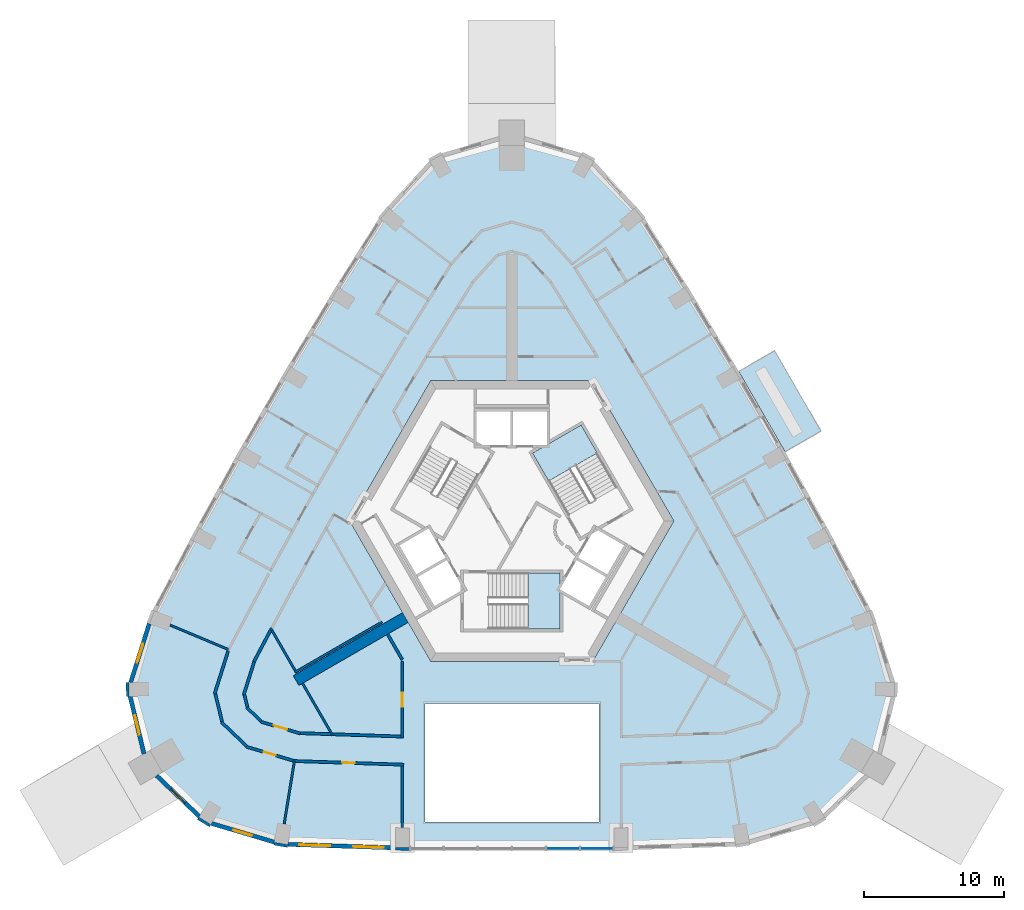
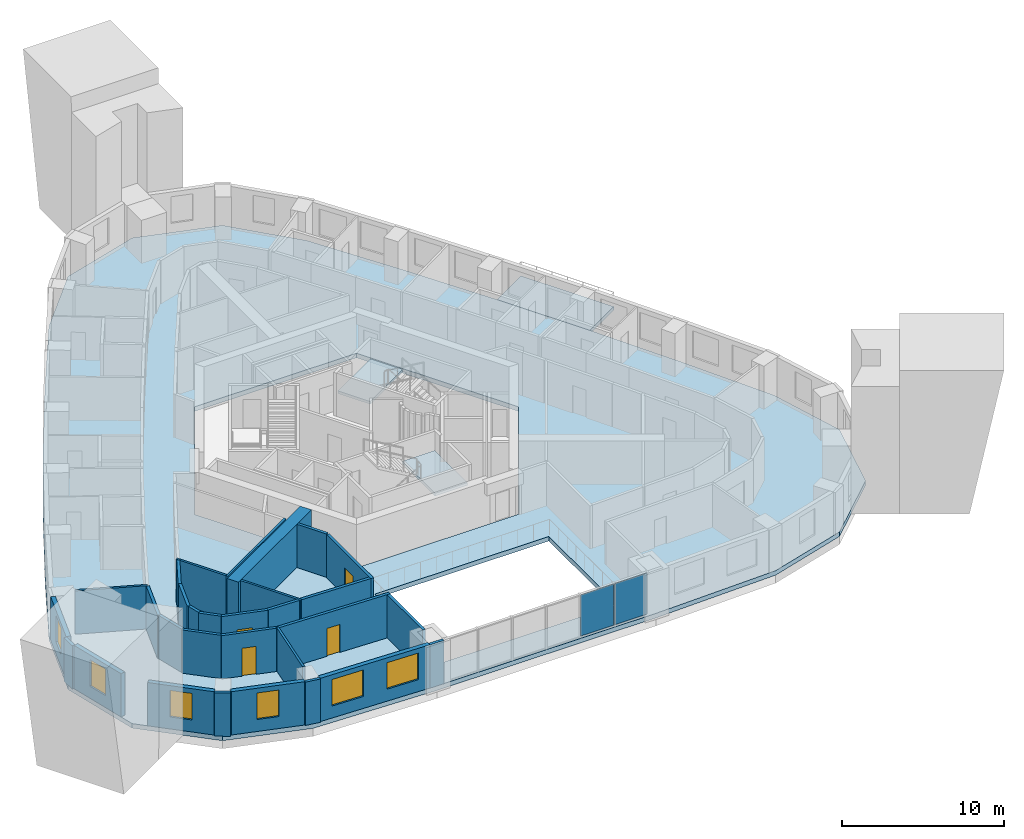
# One storey, part 3 of 13: 30 walls, 6 windows, 4 doors, 4 slabs, 2 plates, 10 openings, 3 elements without a shape of their own.
"""IFC4 building model written with IfcOpenShell, lengths in metres."""

from ifc_helpers import new_model, si_unit, direction, frame, frame_2d, origin, origin_2d, place, context, subcontext, project, spatial, polyline, rectangle, outline, extrude, material, layer, layer_set, type_object, element, fill, aggregate, save


model = new_model("IFC4")

# Units and contexts
model_context = context("Model", 3, precision=1e-05, world=origin(), true_north=direction((0.0, 1.0)))
body_context = subcontext(model_context, "Body", "Model", "MODEL_VIEW")
ifc_project = project(units=[si_unit("LENGTHUNIT", "METRE"), si_unit("AREAUNIT", "SQUARE_METRE"), si_unit("VOLUMEUNIT", "CUBIC_METRE"), si_unit("PLANEANGLEUNIT", "RADIAN"), si_unit("MASSUNIT", "GRAM", prefix="KILO")], contexts=[model_context])

# Site, building, storey
site_placement = place(None, origin())
site = spatial("IfcSite", under=ifc_project, at=site_placement, CompositionType="ELEMENT")
building_placement = place(site_placement, origin())
building = spatial("IfcBuilding", under=site, at=building_placement, Name="Entoto Arch Interchange Tower", CompositionType="ELEMENT")
storey_placement = place(building_placement, frame((0.0, 0.0, 263.0)))
storey = spatial("IfcBuildingStorey", under=building, at=storey_placement, Name="L60", CompositionType="ELEMENT", Elevation=263.0)

# Slab
ifc_material_1 = material(Name="Board-marked precast concrete C50/60", Category="concrete")
ifc_layer_1 = layer(ifc_material_1, 0.25)
ifc_layer_set_1 = layer_set([ifc_layer_1], Name="Board-marked precast concrete C50/60")
slab_type_1 = type_object("IfcSlabType", Name="BALCONY DECK PRECAST 250", PredefinedType="FLOOR", material=ifc_layer_set_1)
slab_1_placement = place(storey_placement, frame((0.0, 0.0, -0.25)))
element("IfcSlab", 1, at=slab_1_placement, inside=storey, type_object=slab_type_1, Name="Planted balcony NE-03 L60", PredefinedType="FLOOR", context=body_context, shape_type="SweptSolid", body=[
    extrude(outline(polyline([(19.47998046875, 7.428955078125), (16.174072265625, 13.155029296875), (18.72900390625, 14.6298828125), (22.034912109375, 8.904052734375), (19.47998046875, 7.428955078125)])), origin(), (0.0, 0.0, 1.0), 0.25),
])

# Stair, slab
ifc_material_2 = material(Name="Concrete C40/50", Category="concrete")
stair_type = type_object("IfcStairType", Name="EXIT STAIR RC 1800", PredefinedType="HALF_TURN_STAIR", material=ifc_material_2)
stair_1_placement = place(storey_placement, origin())
stair_1 = element("IfcStair", 2, at=stair_1_placement, inside=storey, type_object=stair_type, Name="L60 Exit stair S", PredefinedType="HALF_TURN_STAIR")
ifc_layer_2 = layer(ifc_material_2, 0.199951171875)
ifc_layer_set_2 = layer_set([ifc_layer_2], Name="Concrete C40/50")
slab_type_2 = type_object("IfcSlabType", Name="EXIT STAIR LANDING RC 200", PredefinedType="LANDING", material=ifc_layer_set_2)
slab_2_placement = place(storey_placement, frame((0.0, 0.0, 1.60009765625)))
slab_2 = element("IfcSlab", 3, at=slab_2_placement, type_object=slab_type_2, Name="ST-S landing 1", PredefinedType="LANDING", context=body_context, shape_type="SweptSolid", body=[
    extrude(outline(polyline([(1.14990234375, -5.199951171875), (3.449951171875, -5.199951171875), (3.449951171875, -1.199951171875), (1.14990234375, -1.199951171875), (1.14990234375, -5.199951171875)])), origin(), (0.0, 0.0, 1.0), 0.199951171875),
])
aggregate(stair_1, [slab_2])

stair_2_placement = place(storey_placement, origin())
stair_2 = element("IfcStair", 4, at=stair_2_placement, inside=storey, type_object=stair_type, Name="L60 Exit stair NE", PredefinedType="HALF_TURN_STAIR")
slab_3_placement = place(storey_placement, frame((0.0, 0.0, 1.60009765625)))
slab_3 = element("IfcSlab", 5, at=slab_3_placement, type_object=slab_type_2, Name="ST-NE landing 1", PredefinedType="LANDING", context=body_context, shape_type="SweptSolid", body=[
    extrude(outline(polyline([(6.093505859375, 7.345947265625), (4.943359375, 9.337890625), (1.479248046875, 7.337890625), (2.62939453125, 5.345947265625), (6.093505859375, 7.345947265625)])), origin(), (0.0, 0.0, 1.0), 0.199951171875),
])
aggregate(stair_2, [slab_3])

# Curtain wall, plates
ifc_material_3 = material(Name="Aluminium, anodised", Category="aluminium")
curtain_wall_type = type_object("IfcCurtainWallType", Name="CURTAIN WALL ATRIUM", PredefinedType="NOTDEFINED", material=ifc_material_3)
curtain_wall_placement = place(storey_placement, origin())
curtain_wall = element("IfcCurtainWall", 6, at=curtain_wall_placement, inside=storey, type_object=curtain_wall_type, Name="Atrium glazing S-02 L60", PredefinedType="NOTDEFINED")
ifc_material_4 = material(Name="Clear glass, low-e double glazed", Category="glass")
ifc_layer_3 = layer(ifc_material_4, 0.031982421875)
ifc_layer_set_3 = layer_set([ifc_layer_3], Name="Clear glass, low-e double glazed")
plate_type = type_object("IfcPlateType", Name="GLAZING PANEL ATRIUM 32", PredefinedType="CURTAIN_PANEL", material=ifc_layer_set_3)
plate_1_placement = place(storey_placement, frame((3.6494140625, -20.843994140625, 0.079833984375), z_axis=(0.0, 0.0, 1.0), x_axis=(1.0, 0.0, 0.0)))
plate_1 = element("IfcPlate", 7, at=plate_1_placement, type_object=plate_type, Name="CWA panel 5.1", PredefinedType="CURTAIN_PANEL", context=body_context, shape_type="SweptSolid", body=[
    extrude(rectangle(XDim=2.3330078125, YDim=0.031982421875, at=origin_2d()), origin(), (0.0, 0.0, 1.0), 3.10009765625),
])
plate_2_placement = place(storey_placement, frame((6.0576171875, -20.843994140625, 0.079833984375), z_axis=(0.0, 0.0, 1.0), x_axis=(1.0, 0.0, 0.0)))
plate_2 = element("IfcPlate", 8, at=plate_2_placement, type_object=plate_type, Name="CWA panel 6.1", PredefinedType="CURTAIN_PANEL", context=body_context, shape_type="SweptSolid", body=[
    extrude(rectangle(XDim=2.282958984375, YDim=0.031982421875, at=origin_2d()), origin(), (0.0, 0.0, 1.0), 3.10009765625),
])
aggregate(curtain_wall, [plate_1, plate_2])

# Slab
ifc_layer_4 = layer(ifc_material_2, 0.340087890625)
ifc_layer_set_4 = layer_set([ifc_layer_4], Name="Concrete C40/50")
slab_type_3 = type_object("IfcSlabType", Name="Post-tensioned flat plate 340 C40/50", PredefinedType="FLOOR", material=ifc_layer_set_4)
slab_4_placement = place(storey_placement, frame((0.0, 0.0, -0.340087890625)))
element("IfcSlab", 9, at=slab_4_placement, inside=storey, type_object=slab_type_3, Name="Floor slab L60", PredefinedType="FLOOR", context=body_context, shape_type="SweptSolid", body=[
    extrude(outline(polyline([(-16.47998046875, -20.679931640625), (-7.800048828125, -20.968994140625), (7.800048828125, -20.968994140625), (16.47998046875, -20.679931640625), (21.97705078125, -19.0419921875), (26.125, -15.083984375), (27.47900390625, -9.510986328125), (25.83203125, -4.299072265625), (22.681884765625, 1.64404296875), (19.47998046875, 7.428955078125), (16.174072265625, 13.155029296875), (12.764892578125, 18.822021484375), (9.19189453125, 24.52099609375), (5.501953125, 28.553955078125), (0.0, 30.1669921875), (-5.501953125, 28.553955078125), (-9.19189453125, 24.52099609375), (-12.764892578125, 18.822021484375), (-16.174072265625, 13.155029296875), (-19.47998046875, 7.428955078125), (-22.681884765625, 1.64404296875), (-25.83203125, -4.299072265625), (-27.47900390625, -9.510986328125), (-26.125, -15.083984375), (-21.97705078125, -19.0419921875), (-16.47998046875, -20.679931640625)]), holes=[polyline([(6.199951171875, -18.968994140625), (6.199951171875, -10.5), (-6.199951171875, -10.5), (-6.199951171875, -18.968994140625), (6.199951171875, -18.968994140625)]), polyline([(11.547119140625, 2.5), (5.77392578125, 12.5), (-5.77392578125, 12.5), (-11.547119140625, 2.5), (-5.77392578125, -7.5), (5.77392578125, -7.5), (11.547119140625, 2.5)])]), origin(), (0.0, 0.0, 1.0), 0.340087890625),
])

# Walls
ifc_layer_5 = layer(ifc_material_2, 0.800048828125)
ifc_layer_set_5 = layer_set([ifc_layer_5], Name="Concrete C40/50")
wall_type_1 = type_object("IfcWallType", Name="Buttress wall 800 C40/50", PredefinedType="SHEAR", material=ifc_layer_set_5)
wall_1_placement = place(storey_placement, frame((-7.577880859375, -4.375, -0.340087890625), z_axis=(0.0, 0.0, 1.0), x_axis=(-0.866024315419, -0.5000018851, 0.0)))
element("IfcWall", 10, at=wall_1_placement, inside=storey, type_object=wall_type_1, Name="Buttress wall SW L60", PredefinedType="SHEAR", context=body_context, shape_type="SweptSolid", body=[
    extrude(rectangle(XDim=9.0, YDim=0.800048828125, at=frame_2d((4.5, 0.0))), origin(), (0.0, 0.0, 1.0), 3.60009765625),
])
ifc_material_5 = material(Name="Gypsum board partition on steel studs", Category="steel")
ifc_layer_6 = layer(ifc_material_5, 0.14990234375)
ifc_layer_set_6 = layer_set([ifc_layer_6], Name="Gypsum board partition on steel studs")
wall_type_2 = type_object("IfcWallType", Name="PARTITION 150", PredefinedType="PARTITIONING", material=ifc_layer_set_6)
wall_2_placement = place(storey_placement, frame((-9.239990234375, -4.695068359375, 0.0), z_axis=(0.0, 0.0, 1.0), x_axis=(-0.866015037582, -0.500017954359, 0.0)))
element("IfcWall", 11, at=wall_2_placement, inside=storey, type_object=wall_type_2, Name="wall:L60:p108", PredefinedType="PARTITIONING", context=body_context, shape_type="SweptSolid", body=[
    extrude(rectangle(XDim=7.175537109375, YDim=0.14990234375, at=frame_2d((3.587890625, 0.0))), origin(), (0.0, 0.0, 1.0), 3.260009765625),
])
wall_3_placement = place(storey_placement, frame((-15.427001953125, -8.179931640625, 0.0), z_axis=(0.0, 0.0, 1.0), x_axis=(-0.500045204515, 0.865999303373, 0.0)))
element("IfcWall", 12, at=wall_3_placement, inside=storey, type_object=wall_type_2, Name="wall:L60:p109", PredefinedType="PARTITIONING", context=body_context, shape_type="SweptSolid", body=[
    extrude(rectangle(XDim=3.535888671875, YDim=0.14990234375, at=frame_2d((1.76806640625, 0.0))), origin(), (0.0, 0.0, 1.0), 3.260009765625),
])
wall_4_placement = place(storey_placement, frame((-12.76904296875, -12.783935546875, 0.0), z_axis=(0.0, 0.0, 1.0), x_axis=(-0.499998569178, 0.866026229868, 0.0)))
element("IfcWall", 13, at=wall_4_placement, inside=storey, type_object=wall_type_2, Name="wall:L60:p110", PredefinedType="PARTITIONING", context=body_context, shape_type="SweptSolid", body=[
    extrude(rectangle(XDim=4.2861328125, YDim=0.14990234375, at=frame_2d((2.14306640625, 0.0))), origin(), (0.0, 0.0, 1.0), 3.260009765625),
])
wall_5_placement = place(storey_placement, frame((-20.18310546875, -6.666015625, 0.0), z_axis=(0.0, 0.0, 1.0), x_axis=(-0.922347108299, 0.386362280525, 0.0)))
element("IfcWall", 14, at=wall_5_placement, inside=storey, type_object=wall_type_2, Name="wall:L60:p143", PredefinedType="PARTITIONING", context=body_context, shape_type="SweptSolid", body=[
    extrude(rectangle(XDim=4.50341796875, YDim=0.14990234375, at=frame_2d((2.251708984375, 0.0))), origin(), (0.0, 0.0, 1.0), 3.260009765625),
])
wall_6_placement = place(storey_placement, frame((-15.490966796875, -14.610107421875, 0.0), z_axis=(0.0, 0.0, 1.0), x_axis=(-0.160928343418, -0.986966092774, 0.0)))
element("IfcWall", 15, at=wall_6_placement, inside=storey, type_object=wall_type_2, Name="wall:L60:p144", PredefinedType="PARTITIONING", context=body_context, shape_type="SweptSolid", body=[
    extrude(rectangle(XDim=4.530029296875, YDim=0.14990234375, at=frame_2d((2.26513671875, 0.0))), origin(), (0.0, 0.0, 1.0), 3.260009765625),
])
ifc_layer_7 = layer(ifc_material_5, 0.199951171875)
ifc_layer_set_7 = layer_set([ifc_layer_7], Name="Gypsum board partition on steel studs")
wall_type_3 = type_object("IfcWallType", Name="PARTITION 200", PredefinedType="PARTITIONING", material=ifc_layer_set_7)
wall_7_placement = place(storey_placement, frame((-12.743896484375, -12.699951171875, 0.0), z_axis=(0.0, 0.0, 1.0), x_axis=(0.999447196828, -0.033246063702, 0.0)))
element("IfcWall", 16, at=wall_7_placement, inside=storey, type_object=wall_type_3, Name="wall:L60:p031", PredefinedType="PARTITIONING", context=body_context, shape_type="SweptSolid", body=[
    extrude(rectangle(XDim=4.8466796875, YDim=0.199951171875, at=frame_2d((2.42333984375, 0.0))), origin(), (0.0, 0.0, 1.0), 3.260009765625),
])
wall_8_placement = place(storey_placement, frame((-17.179931640625, -5.27099609375, 0.0), z_axis=(0.0, 0.0, 1.0), x_axis=(-0.468212372113, -0.883615965564, 0.0)))
element("IfcWall", 17, at=wall_8_placement, inside=storey, type_object=wall_type_3, Name="wall:L60:p032", PredefinedType="PARTITIONING", context=body_context, shape_type="SweptSolid", body=[
    extrude(rectangle(XDim=2.556640625, YDim=0.199951171875, at=frame_2d((1.2783203125, 0.0))), origin(), (0.0, 0.0, 1.0), 3.260009765625),
])
wall_9_placement = place(storey_placement, frame((-18.360107421875, -7.537109375, 0.0), z_axis=(0.0, 0.0, 1.0), x_axis=(-0.301325410186, -0.953521366922, 0.0)))
element("IfcWall", 18, at=wall_9_placement, inside=storey, type_object=wall_type_3, Name="wall:L60:p033", PredefinedType="PARTITIONING", context=body_context, shape_type="SweptSolid", body=[
    extrude(rectangle(XDim=2.46875, YDim=0.199951171875, at=frame_2d((1.234375, 0.0))), origin(), (0.0, 0.0, 1.0), 3.260009765625),
])
wall_10_placement = place(storey_placement, frame((-19.051025390625, -9.89306640625, 0.0), z_axis=(0.0, 0.0, 1.0), x_axis=(0.237162553963, -0.971469980492, 0.0)))
element("IfcWall", 19, at=wall_10_placement, inside=storey, type_object=wall_type_3, Name="wall:L60:p034", PredefinedType="PARTITIONING", context=body_context, shape_type="SweptSolid", body=[
    extrude(rectangle(XDim=0.898681640625, YDim=0.199951171875, at=frame_2d((0.44921875, 0.0))), origin(), (0.0, 0.0, 1.0), 3.260009765625),
])
wall_11_placement = place(storey_placement, frame((-18.886962890625, -10.7939453125, 0.0), z_axis=(0.0, 0.0, 1.0), x_axis=(0.723206051435, -0.690632324155, 0.0)))
element("IfcWall", 20, at=wall_11_placement, inside=storey, type_object=wall_type_3, Name="wall:L60:p035", PredefinedType="PARTITIONING", context=body_context, shape_type="SweptSolid", body=[
    extrude(rectangle(XDim=1.4091796875, YDim=0.199951171875, at=frame_2d((0.70458984375, 0.0))), origin(), (0.0, 0.0, 1.0), 3.260009765625),
])

# Wall, opening, door
wall_12_placement = place(storey_placement, frame((-17.89111328125, -11.806884765625, 0.0), z_axis=(0.0, 0.0, 1.0), x_axis=(0.958288558025, -0.28580244848, 0.0)))
wall_12 = element("IfcWall", 21, at=wall_12_placement, inside=storey, type_object=wall_type_3, Name="wall:L60:p036", PredefinedType="PARTITIONING", context=body_context, shape_type="SweptSolid", body=[
    extrude(rectangle(XDim=2.94287109375, YDim=0.199951171875, at=frame_2d((1.471435546875, 0.0))), origin(), (0.0, 0.0, 1.0), 3.260009765625),
])
opening_1_placement = place(wall_12_placement, frame((0.970947265625, 0.0, 0.0)))
opening_1 = element("IfcOpeningElement", 22, at=opening_1_placement, cuts=wall_12, Name="Opening L60-D31", PredefinedType="OPENING", context=body_context, shape_type="SweptSolid", body=[
    extrude(rectangle(XDim=1.0, YDim=2.10009765625, at=frame_2d((0.5, 1.050048828125))), frame((0.0, 0.10986328125, 0.0), z_axis=(0.0, -1.0, 0.0), x_axis=(1.0, 0.0, 0.0)), (0.0, 0.0, 1.0), 0.219970703125),
])
ifc_material_6 = material(Name="Timber door leaf in Steel S235 frame", Category="steel")
door_type_1 = type_object("IfcDoorType", Name="DOOR DS-10 1000x2100", OperationType="SINGLE_SWING_LEFT", PredefinedType="DOOR", material=ifc_material_6)
door_1_placement = place(opening_1_placement, origin())
door_1 = element("IfcDoor", 23, at=door_1_placement, inside=storey, type_object=door_type_1, Name="door:L60:31", OperationType="SINGLE_SWING_LEFT", OverallHeight=2.10009765625, OverallWidth=1.0, PredefinedType="DOOR", context=body_context, shape_type="SweptSolid", body=[
    extrude(rectangle(XDim=1.0, YDim=2.10009765625, at=frame_2d((0.5, 1.050048828125))), frame((0.0, 0.02490234375, 0.0), z_axis=(0.0, -1.0, 0.0), x_axis=(1.0, 0.0, 0.0)), (0.0, 0.0, 1.0), 0.050048828125),
])
fill(opening_1, door_1)

# Wall
wall_13_placement = place(storey_placement, frame((-15.06689453125, -12.623046875, 0.0), z_axis=(0.0, 0.0, 1.0), x_axis=(0.99945112134, -0.033127874247, 0.0)))
element("IfcWall", 24, at=wall_13_placement, inside=storey, type_object=wall_type_3, Name="wall:L60:p037", PredefinedType="PARTITIONING", context=body_context, shape_type="SweptSolid", body=[
    extrude(rectangle(XDim=2.174072265625, YDim=0.199951171875, at=frame_2d((1.0869140625, 0.0))), origin(), (0.0, 0.0, 1.0), 3.260009765625),
])

# Wall, opening, door
wall_14_placement = place(storey_placement, frame((-15.5869140625, -14.5810546875, 0.0), z_axis=(0.0, 0.0, 1.0), x_axis=(-0.958378336681, 0.285501250052, 0.0)))
wall_14 = element("IfcWall", 25, at=wall_14_placement, inside=storey, type_object=wall_type_3, Name="wall:L60:p067", PredefinedType="PARTITIONING", context=body_context, shape_type="SweptSolid", body=[
    extrude(rectangle(XDim=3.482177734375, YDim=0.199951171875, at=frame_2d((1.7412109375, 0.0))), origin(), (0.0, 0.0, 1.0), 3.260009765625),
])
opening_2_placement = place(wall_14_placement, frame((1.291015625, 0.0, 0.0)))
opening_2 = element("IfcOpeningElement", 26, at=opening_2_placement, cuts=wall_14, Name="Opening L60-D22", PredefinedType="OPENING", context=body_context, shape_type="SweptSolid", body=[
    extrude(rectangle(XDim=0.89990234375, YDim=2.10009765625, at=frame_2d((0.449951171875, 1.050048828125))), frame((0.0, 0.10986328125, 0.0), z_axis=(0.0, -1.0, 0.0), x_axis=(1.0, 0.0, 0.0)), (0.0, 0.0, 1.0), 0.219970703125),
])
door_type_2 = type_object("IfcDoorType", Name="DOOR DS-09 900x2100", OperationType="SINGLE_SWING_LEFT", PredefinedType="DOOR", material=ifc_material_6)
door_2_placement = place(opening_2_placement, origin())
door_2 = element("IfcDoor", 27, at=door_2_placement, inside=storey, type_object=door_type_2, Name="door:L60:22", OperationType="SINGLE_SWING_LEFT", OverallHeight=2.10009765625, OverallWidth=0.89990234375, PredefinedType="DOOR", context=body_context, shape_type="SweptSolid", body=[
    extrude(rectangle(XDim=0.89990234375, YDim=2.10009765625, at=frame_2d((0.449951171875, 1.050048828125))), frame((0.0, 0.02490234375, 0.0), z_axis=(0.0, -1.0, 0.0), x_axis=(1.0, 0.0, 0.0)), (0.0, 0.0, 1.0), 0.050048828125),
])
fill(opening_2, door_2)

# Walls
wall_15_placement = place(storey_placement, frame((-18.89990234375, -13.5458984375, 0.0), z_axis=(0.0, 0.0, 1.0), x_axis=(-0.723668833869, 0.690147389248, 0.0)))
element("IfcWall", 28, at=wall_15_placement, inside=storey, type_object=wall_type_3, Name="wall:L60:p068", PredefinedType="PARTITIONING", context=body_context, shape_type="SweptSolid", body=[
    extrude(rectangle(XDim=2.476318359375, YDim=0.199951171875, at=frame_2d((1.23828125, 0.0))), origin(), (0.0, 0.0, 1.0), 3.260009765625),
])
wall_16_placement = place(storey_placement, frame((-20.64306640625, -11.80810546875, 0.0), z_axis=(0.0, 0.0, 1.0), x_axis=(-0.236372924437, 0.971662410816, 0.0)))
element("IfcWall", 29, at=wall_16_placement, inside=storey, type_object=wall_type_3, Name="wall:L60:p069", PredefinedType="PARTITIONING", context=body_context, shape_type="SweptSolid", body=[
    extrude(rectangle(XDim=2.04296875, YDim=0.199951171875, at=frame_2d((1.021484375, 0.0))), origin(), (0.0, 0.0, 1.0), 3.260009765625),
])
wall_17_placement = place(storey_placement, frame((-21.179931640625, -9.821044921875, 0.0), z_axis=(0.0, 0.0, 1.0), x_axis=(0.301331608119, 0.953519408271, 0.0)))
element("IfcWall", 30, at=wall_17_placement, inside=storey, type_object=wall_type_3, Name="wall:L60:p070", PredefinedType="PARTITIONING", context=body_context, shape_type="SweptSolid", body=[
    extrude(rectangle(XDim=3.209228515625, YDim=0.199951171875, at=frame_2d((1.6044921875, 0.0))), origin(), (0.0, 0.0, 1.0), 3.260009765625),
])

# Wall, opening, door
wall_18_placement = place(storey_placement, frame((-7.699951171875, -14.868896484375, 0.0), z_axis=(0.0, 0.0, 1.0), x_axis=(-0.999445318732, 0.03330247535, 0.0)))
wall_18 = element("IfcWall", 31, at=wall_18_placement, inside=storey, type_object=wall_type_3, Name="wall:L60:p071", PredefinedType="PARTITIONING", context=body_context, shape_type="SweptSolid", body=[
    extrude(rectangle(XDim=7.8955078125, YDim=0.199951171875, at=frame_2d((3.94775390625, 0.0))), origin(), (0.0, 0.0, 1.0), 3.260009765625),
])
opening_3_placement = place(wall_18_placement, frame((3.498046875, 0.0, 0.0)))
opening_3 = element("IfcOpeningElement", 32, at=opening_3_placement, cuts=wall_18, Name="Opening L60-D23", PredefinedType="OPENING", context=body_context, shape_type="SweptSolid", body=[
    extrude(rectangle(XDim=0.89990234375, YDim=2.10009765625, at=frame_2d((0.449951171875, 1.050048828125))), frame((0.0, 0.10986328125, 0.0), z_axis=(0.0, -1.0, 0.0), x_axis=(1.0, 0.0, 0.0)), (0.0, 0.0, 1.0), 0.219970703125),
])
door_3_placement = place(opening_3_placement, origin())
door_3 = element("IfcDoor", 33, at=door_3_placement, inside=storey, type_object=door_type_2, Name="door:L60:23", OperationType="SINGLE_SWING_LEFT", OverallHeight=2.10009765625, OverallWidth=0.89990234375, PredefinedType="DOOR", context=body_context, shape_type="SweptSolid", body=[
    extrude(rectangle(XDim=0.89990234375, YDim=2.10009765625, at=frame_2d((0.449951171875, 1.050048828125))), frame((0.0, 0.02490234375, 0.0), z_axis=(0.0, -1.0, 0.0), x_axis=(1.0, 0.0, 0.0)), (0.0, 0.0, 1.0), 0.050048828125),
])
fill(opening_3, door_3)

wall_19_placement = place(storey_placement, frame((-7.800048828125, -12.964111328125, 0.0), z_axis=(0.0, 0.0, 1.0), x_axis=(0.0, 1.0, 0.0)))
wall_19 = element("IfcWall", 34, at=wall_19_placement, inside=storey, type_object=wall_type_3, Name="wall:L60:p100", PredefinedType="PARTITIONING", context=body_context, shape_type="SweptSolid", body=[
    extrude(rectangle(XDim=5.465087890625, YDim=0.199951171875, at=frame_2d((2.732421875, 0.0))), origin(), (0.0, 0.0, 1.0), 3.260009765625),
])
opening_4_placement = place(wall_19_placement, frame((2.23291015625, 0.0, 0.0)))
opening_4 = element("IfcOpeningElement", 35, at=opening_4_placement, cuts=wall_19, Name="Opening L60-D30", PredefinedType="OPENING", context=body_context, shape_type="SweptSolid", body=[
    extrude(rectangle(XDim=1.0, YDim=2.10009765625, at=frame_2d((0.5, 1.050048828125))), frame((0.0, 0.10986328125, 0.0), z_axis=(0.0, -1.0, 0.0), x_axis=(1.0, 0.0, 0.0)), (0.0, 0.0, 1.0), 0.219970703125),
])
door_4_placement = place(opening_4_placement, origin())
door_4 = element("IfcDoor", 36, at=door_4_placement, inside=storey, type_object=door_type_1, Name="door:L60:30", OperationType="SINGLE_SWING_LEFT", OverallHeight=2.10009765625, OverallWidth=1.0, PredefinedType="DOOR", context=body_context, shape_type="SweptSolid", body=[
    extrude(rectangle(XDim=1.0, YDim=2.10009765625, at=frame_2d((0.5, 1.050048828125))), frame((0.0, 0.02490234375, 0.0), z_axis=(0.0, -1.0, 0.0), x_axis=(1.0, 0.0, 0.0)), (0.0, 0.0, 1.0), 0.050048828125),
])
fill(opening_4, door_4)

# Walls
wall_20_placement = place(storey_placement, frame((-7.800048828125, -7.389892578125, 0.0), z_axis=(0.0, 0.0, 1.0), x_axis=(-0.499977374825, 0.866038466041, 0.0)))
element("IfcWall", 37, at=wall_20_placement, inside=storey, type_object=wall_type_3, Name="wall:L60:p101", PredefinedType="PARTITIONING", context=body_context, shape_type="SweptSolid", body=[
    extrude(rectangle(XDim=2.10009765625, YDim=0.199951171875, at=frame_2d((1.050048828125, 0.0))), origin(), (0.0, 0.0, 1.0), 3.260009765625),
])
wall_21_placement = place(storey_placement, frame((-7.800048828125, -19.34912109375, 0.0), z_axis=(0.0, 0.0, 1.0), x_axis=(0.0, 1.0, 0.0)))
element("IfcWall", 38, at=wall_21_placement, inside=storey, type_object=wall_type_3, Name="wall:L60:p103", PredefinedType="PARTITIONING", context=body_context, shape_type="SweptSolid", body=[
    extrude(rectangle(XDim=4.383056640625, YDim=0.199951171875, at=frame_2d((2.19140625, 0.0))), origin(), (0.0, 0.0, 1.0), 3.260009765625),
])

# Wall, openings, windows
ifc_material_7 = material(Name="Welded tuff (ignimbrite) cladding, warm buff", Category="masonry")
ifc_layer_8 = layer(ifc_material_7, 0.300048828125)
ifc_layer_set_8 = layer_set([ifc_layer_8], Name="Welded tuff (ignimbrite) cladding, warm buff")
wall_type_4 = type_object("IfcWallType", Name="STONE INFILL WALL 300", PredefinedType="STANDARD", material=ifc_layer_set_8)
wall_22_placement = place(storey_placement, frame((-15.950927734375, -20.548095703125, 0.0), z_axis=(0.0, 0.0, 1.0), x_axis=(0.999450376985, -0.033150323459, 0.0)))
wall_22 = element("IfcWall", 39, at=wall_22_placement, inside=storey, type_object=wall_type_4, Name="Facade wall S-01 L60", PredefinedType="STANDARD", context=body_context, shape_type="SweptSolid", body=[
    extrude(rectangle(XDim=7.6591796875, YDim=0.300048828125, at=frame_2d((3.82958984375, 0.0))), origin(), (0.0, 0.0, 1.0), 3.260009765625),
])
opening_5_placement = place(wall_22_placement, frame((0.81494140625, 0.0, 0.89990234375)))
opening_5 = element("IfcOpeningElement", 40, at=opening_5_placement, cuts=wall_22, Name="Opening WH-A", PredefinedType="OPENING", context=body_context, shape_type="SweptSolid", body=[
    extrude(rectangle(XDim=2.199951171875, YDim=2.0, at=frame_2d((1.10009765625, 1.0))), frame((0.0, 0.16015625, 0.0), z_axis=(0.0, -1.0, 0.0), x_axis=(1.0, 0.0, 0.0)), (0.0, 0.0, 1.0), 0.320068359375),
])
opening_6_placement = place(wall_22_placement, frame((4.64404296875, 0.0, 0.89990234375)))
opening_6 = element("IfcOpeningElement", 41, at=opening_6_placement, cuts=wall_22, Name="Opening WH-A", PredefinedType="OPENING", context=body_context, shape_type="SweptSolid", body=[
    extrude(rectangle(XDim=2.199951171875, YDim=2.0, at=frame_2d((1.10009765625, 1.0))), frame((0.0, 0.16015625, 0.0), z_axis=(0.0, -1.0, 0.0), x_axis=(1.0, 0.0, 0.0)), (0.0, 0.0, 1.0), 0.320068359375),
])
window_type_1 = type_object("IfcWindowType", Name="WINDOW WH-A 2200x2000", PartitioningType="DOUBLE_PANEL_VERTICAL", PredefinedType="WINDOW", material=ifc_material_4)
window_1_placement = place(opening_5_placement, origin())
window_1 = element("IfcWindow", 42, at=window_1_placement, inside=storey, type_object=window_type_1, Name="Window WH-A S-01 L60", OverallHeight=2.0, OverallWidth=2.199951171875, PartitioningType="SINGLE_PANEL", PredefinedType="WINDOW", context=body_context, shape_type="SweptSolid", body=[
    extrude(rectangle(XDim=2.199951171875, YDim=2.0, at=frame_2d((1.10009765625, 1.0))), frame((0.0, 0.030029296875, 0.0), z_axis=(0.0, -1.0, 0.0), x_axis=(1.0, 0.0, 0.0)), (0.0, 0.0, 1.0), 0.06005859375),
])
fill(opening_5, window_1)
window_2_placement = place(opening_6_placement, origin())
window_2 = element("IfcWindow", 43, at=window_2_placement, inside=storey, type_object=window_type_1, Name="Window WH-A S-01 L60", OverallHeight=2.0, OverallWidth=2.199951171875, PartitioningType="SINGLE_PANEL", PredefinedType="WINDOW", context=body_context, shape_type="SweptSolid", body=[
    extrude(rectangle(XDim=2.199951171875, YDim=2.0, at=frame_2d((1.10009765625, 1.0))), frame((0.0, 0.030029296875, 0.0), z_axis=(0.0, -1.0, 0.0), x_axis=(1.0, 0.0, 0.0)), (0.0, 0.0, 1.0), 0.06005859375),
])
fill(opening_6, window_2)

# Wall, opening, window
wall_23_placement = place(storey_placement, frame((-25.842041015625, -4.826904296875, 0.0), z_axis=(0.0, 0.0, 1.0), x_axis=(-0.30108868778, -0.953596142028, 0.0)))
wall_23 = element("IfcWall", 44, at=wall_23_placement, inside=storey, type_object=wall_type_4, Name="Facade wall SW-01 L60", PredefinedType="STANDARD", context=body_context, shape_type="SweptSolid", body=[
    extrude(rectangle(XDim=4.38037109375, YDim=0.300048828125, at=frame_2d((2.190185546875, 0.0))), origin(), (0.0, 0.0, 1.0), 3.260009765625),
])
opening_7_placement = place(wall_23_placement, frame((1.489990234375, 0.0, 0.89990234375)))
opening_7 = element("IfcOpeningElement", 45, at=opening_7_placement, cuts=wall_23, Name="Opening WH-B", PredefinedType="OPENING", context=body_context, shape_type="SweptSolid", body=[
    extrude(rectangle(XDim=1.39990234375, YDim=2.0, at=frame_2d((0.699951171875, 1.0))), frame((0.0, 0.16015625, 0.0), z_axis=(0.0, -1.0, 0.0), x_axis=(1.0, 0.0, 0.0)), (0.0, 0.0, 1.0), 0.320068359375),
])
window_type_2 = type_object("IfcWindowType", Name="WINDOW WH-B 1400x2000", PartitioningType="DOUBLE_PANEL_VERTICAL", PredefinedType="WINDOW", material=ifc_material_4)
window_3_placement = place(opening_7_placement, origin())
window_3 = element("IfcWindow", 46, at=window_3_placement, inside=storey, type_object=window_type_2, Name="Window WH-B SW-01 L60", OverallHeight=2.0, OverallWidth=1.39990234375, PartitioningType="SINGLE_PANEL", PredefinedType="WINDOW", context=body_context, shape_type="SweptSolid", body=[
    extrude(rectangle(XDim=1.39990234375, YDim=2.0, at=frame_2d((0.699951171875, 1.0))), frame((0.0, 0.030029296875, 0.0), z_axis=(0.0, -1.0, 0.0), x_axis=(1.0, 0.0, 0.0)), (0.0, 0.0, 1.0), 0.06005859375),
])
fill(opening_7, window_3)

wall_24_placement = place(storey_placement, frame((-27.205078125, -10.0029296875, 0.0), z_axis=(0.0, 0.0, 1.0), x_axis=(0.236077883519, -0.97173413695, 0.0)))
wall_24 = element("IfcWall", 47, at=wall_24_placement, inside=storey, type_object=wall_type_4, Name="Facade wall SW-02 L60", PredefinedType="STANDARD", context=body_context, shape_type="SweptSolid", body=[
    extrude(rectangle(XDim=4.211181640625, YDim=0.300048828125, at=frame_2d((2.10546875, 0.0))), origin(), (0.0, 0.0, 1.0), 3.260009765625),
])
opening_8_placement = place(wall_24_placement, frame((1.405029296875, 0.0, 0.89990234375)))
opening_8 = element("IfcOpeningElement", 48, at=opening_8_placement, cuts=wall_24, Name="Opening WH-B", PredefinedType="OPENING", context=body_context, shape_type="SweptSolid", body=[
    extrude(rectangle(XDim=1.39990234375, YDim=2.0, at=frame_2d((0.699951171875, 1.0))), frame((0.0, 0.16015625, 0.0), z_axis=(0.0, -1.0, 0.0), x_axis=(1.0, 0.0, 0.0)), (0.0, 0.0, 1.0), 0.320068359375),
])
window_4_placement = place(opening_8_placement, origin())
window_4 = element("IfcWindow", 49, at=window_4_placement, inside=storey, type_object=window_type_2, Name="Window WH-B SW-02 L60", OverallHeight=2.0, OverallWidth=1.39990234375, PartitioningType="SINGLE_PANEL", PredefinedType="WINDOW", context=body_context, shape_type="SweptSolid", body=[
    extrude(rectangle(XDim=1.39990234375, YDim=2.0, at=frame_2d((0.699951171875, 1.0))), frame((0.0, 0.030029296875, 0.0), z_axis=(0.0, -1.0, 0.0), x_axis=(1.0, 0.0, 0.0)), (0.0, 0.0, 1.0), 0.06005859375),
])
fill(opening_8, window_4)

wall_25_placement = place(storey_placement, frame((-25.31201171875, -15.653076171875, 0.0), z_axis=(0.0, 0.0, 1.0), x_axis=(0.723526681061, -0.690296415892, 0.0)))
wall_25 = element("IfcWall", 50, at=wall_25_placement, inside=storey, type_object=wall_type_4, Name="Facade wall SW-03 L60", PredefinedType="STANDARD", context=body_context, shape_type="SweptSolid", body=[
    extrude(rectangle(XDim=4.209716796875, YDim=0.300048828125, at=frame_2d((2.10498046875, 0.0))), origin(), (0.0, 0.0, 1.0), 3.260009765625),
])
opening_9_placement = place(wall_25_placement, frame((1.405029296875, 0.0, 0.89990234375)))
opening_9 = element("IfcOpeningElement", 51, at=opening_9_placement, cuts=wall_25, Name="Opening WH-B", PredefinedType="OPENING", context=body_context, shape_type="SweptSolid", body=[
    extrude(rectangle(XDim=1.39990234375, YDim=2.0, at=frame_2d((0.699951171875, 1.0))), frame((0.0, 0.16015625, 0.0), z_axis=(0.0, -1.0, 0.0), x_axis=(1.0, 0.0, 0.0)), (0.0, 0.0, 1.0), 0.320068359375),
])
window_5_placement = place(opening_9_placement, origin())
window_5 = element("IfcWindow", 52, at=window_5_placement, inside=storey, type_object=window_type_2, Name="Window WH-B SW-03 L60", OverallHeight=2.0, OverallWidth=1.39990234375, PartitioningType="SINGLE_PANEL", PredefinedType="WINDOW", context=body_context, shape_type="SweptSolid", body=[
    extrude(rectangle(XDim=1.39990234375, YDim=2.0, at=frame_2d((0.699951171875, 1.0))), frame((0.0, 0.030029296875, 0.0), z_axis=(0.0, -1.0, 0.0), x_axis=(1.0, 0.0, 0.0)), (0.0, 0.0, 1.0), 0.06005859375),
])
fill(opening_9, window_5)

wall_26_placement = place(storey_placement, frame((-21.40087890625, -19.056884765625, 0.0), z_axis=(0.0, 0.0, 1.0), x_axis=(0.958361270465, -0.285558532131, 0.0)))
wall_26 = element("IfcWall", 53, at=wall_26_placement, inside=storey, type_object=wall_type_4, Name="Facade wall SW-04 L60", PredefinedType="STANDARD", context=body_context, shape_type="SweptSolid", body=[
    extrude(rectangle(XDim=4.65771484375, YDim=0.300048828125, at=frame_2d((2.328857421875, 0.0))), origin(), (0.0, 0.0, 1.0), 3.260009765625),
])
opening_10_placement = place(wall_26_placement, frame((1.62890625, 0.0, 0.89990234375)))
opening_10 = element("IfcOpeningElement", 54, at=opening_10_placement, cuts=wall_26, Name="Opening WH-B", PredefinedType="OPENING", context=body_context, shape_type="SweptSolid", body=[
    extrude(rectangle(XDim=1.39990234375, YDim=2.0, at=frame_2d((0.699951171875, 1.0))), frame((0.0, 0.16015625, 0.0), z_axis=(0.0, -1.0, 0.0), x_axis=(1.0, 0.0, 0.0)), (0.0, 0.0, 1.0), 0.320068359375),
])
window_6_placement = place(opening_10_placement, origin())
window_6 = element("IfcWindow", 55, at=window_6_placement, inside=storey, type_object=window_type_2, Name="Window WH-B SW-04 L60", OverallHeight=2.0, OverallWidth=1.39990234375, PartitioningType="SINGLE_PANEL", PredefinedType="WINDOW", context=body_context, shape_type="SweptSolid", body=[
    extrude(rectangle(XDim=1.39990234375, YDim=2.0, at=frame_2d((0.699951171875, 1.0))), frame((0.0, 0.030029296875, 0.0), z_axis=(0.0, -1.0, 0.0), x_axis=(1.0, 0.0, 0.0)), (0.0, 0.0, 1.0), 0.06005859375),
])
fill(opening_10, window_6)

# Walls
ifc_layer_9 = layer(ifc_material_7, 0.199951171875)
ifc_layer_set_9 = layer_set([ifc_layer_9], Name="Welded tuff (ignimbrite) cladding, warm buff")
wall_type_5 = type_object("IfcWallType", Name="STONE PIER CLADDING 200", PredefinedType="STANDARD", material=ifc_layer_set_9)
for number, where, z_axis, x_axis, name in (
    (56, (-16.9560546875, -20.498046875, 0.0), (0.0, 0.0, 1.0), (0.985961725342, -0.166971483074, 0.0), "Stone pier S01 L60"),
    (57, (-8.298095703125, -20.860107421875, 0.0), (0.0, 0.0, 1.0), (0.999841221248, -0.017819435828, 0.0), "Stone pier S02 L60"),
):
    element("IfcWall", number, at=place(storey_placement, frame(where, z_axis=z_axis, x_axis=x_axis)), inside=storey, type_object=wall_type_5, Name=name, PredefinedType="STANDARD", context=body_context, shape_type="SweptSolid", body=[
        extrude(rectangle(XDim=1.000244140625, YDim=0.199951171875, at=frame_2d((0.5, 0.0))), origin(), (0.0, 0.0, 1.0), 3.260009765625),
    ])
wall_27_placement = place(storey_placement, frame((-27.39111328125, -9.009033203125, 0.0), z_axis=(0.0, 0.0, 1.0), x_axis=(0.024186470916, -0.999707464524, 0.0)))
element("IfcWall", 58, at=wall_27_placement, inside=storey, type_object=wall_type_5, Name="Stone pier SW1 L60", PredefinedType="STANDARD", context=body_context, shape_type="SweptSolid", body=[
    extrude(rectangle(XDim=0.999267578125, YDim=0.199951171875, at=frame_2d((0.49951171875, 0.0))), origin(), (0.0, 0.0, 1.0), 3.260009765625),
])
wall_28_placement = place(storey_placement, frame((-22.35205078125, -18.696044921875, 0.0), z_axis=(0.0, 0.0, 1.0), x_axis=(0.853679739553, -0.520798331677, 0.0)))
element("IfcWall", 59, at=wall_28_placement, inside=storey, type_object=wall_type_5, Name="Stone pier SW3 L60", PredefinedType="STANDARD", context=body_context, shape_type="SweptSolid", body=[
    extrude(rectangle(XDim=1.00048828125, YDim=0.199951171875, at=frame_2d((0.500244140625, 0.0))), origin(), (0.0, 0.0, 1.0), 3.260009765625),
])

save(model, "model.ifc")
